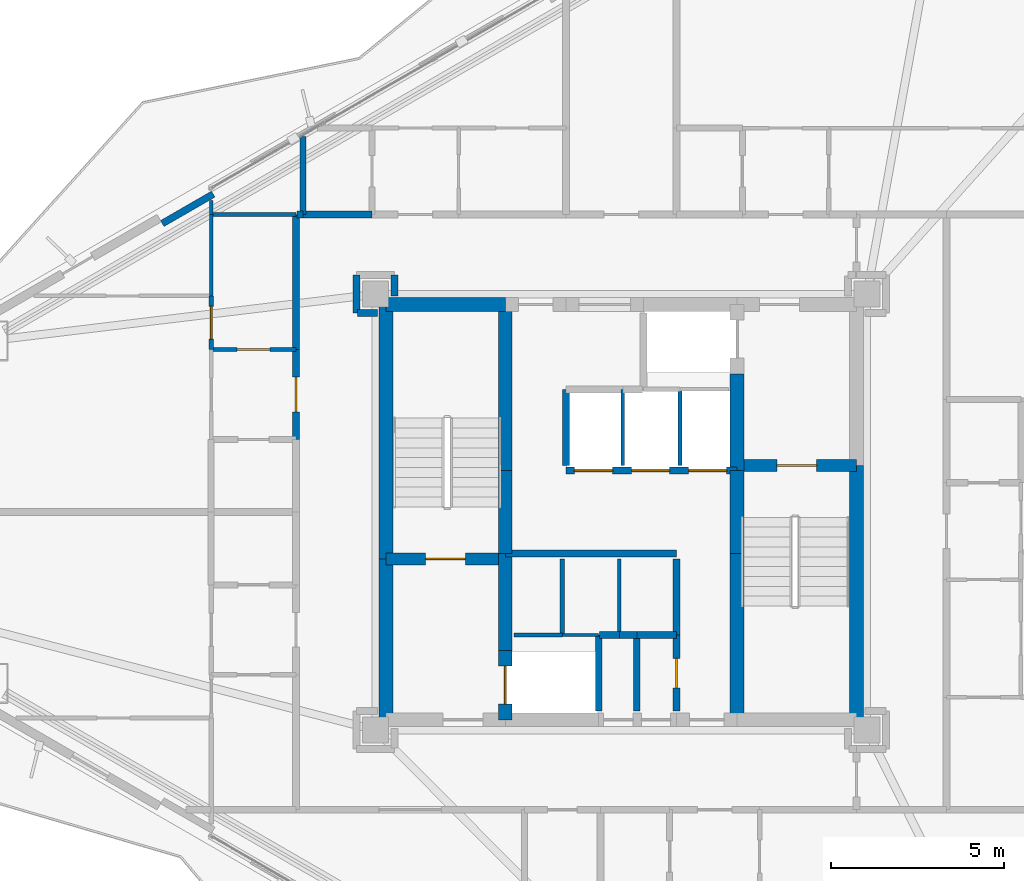
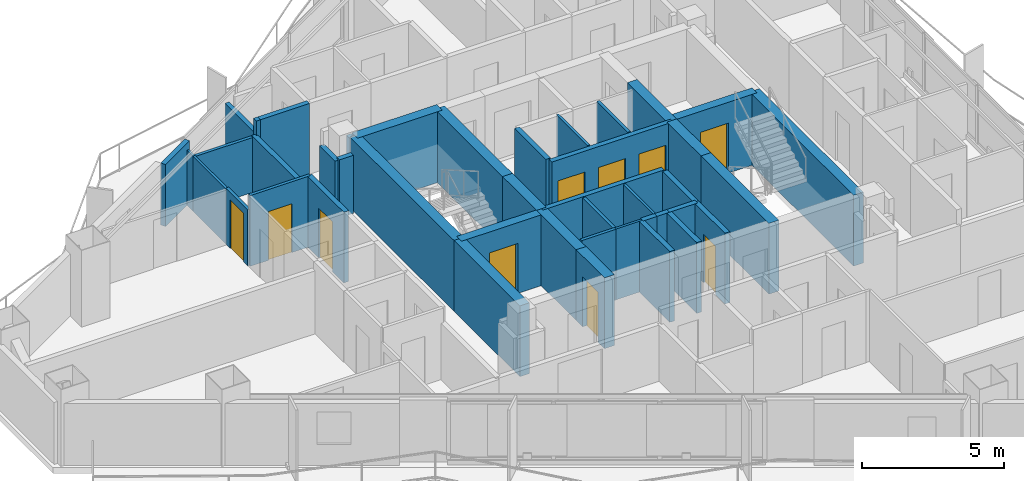
# One storey, part 17 of 22: 43 walls, 10 doors, 10 openings.
"""IFC4 building model written with IfcOpenShell, lengths in metres."""

from ifc_helpers import new_model, si_unit, direction, frame, frame_2d, origin, place, context, subcontext, project, spatial, rectangle, extrude, material, layer, layer_set, type_object, element, fill, save


model = new_model("IFC4")

# Units and contexts
model_context = context("Model", 3, precision=1e-05, world=origin(), true_north=direction((0.0, 1.0)))
body_context = subcontext(model_context, "Body", "Model", "MODEL_VIEW")
ifc_project = project(units=[si_unit("LENGTHUNIT", "METRE"), si_unit("AREAUNIT", "SQUARE_METRE"), si_unit("VOLUMEUNIT", "CUBIC_METRE"), si_unit("PLANEANGLEUNIT", "RADIAN"), si_unit("MASSUNIT", "GRAM", prefix="KILO")], contexts=[model_context])

# Site, building, storey
site_placement = place(None, origin())
site = spatial("IfcSite", under=ifc_project, at=site_placement, CompositionType="ELEMENT")
building_placement = place(site_placement, origin())
building = spatial("IfcBuilding", under=site, at=building_placement, Name="Mersakhor Tower and Convention Hall", CompositionType="ELEMENT")
storey_placement = place(building_placement, frame((0.0, 0.0, 103.199951171875)))
storey = spatial("IfcBuildingStorey", under=building, at=storey_placement, Name="L28", CompositionType="ELEMENT", Elevation=103.199951171875)

# Walls
ifc_material_1 = material(Name="Precast concrete C40/50", Category="concrete")
ifc_layer_1 = layer(ifc_material_1, 0.199951171875)
ifc_layer_set_1 = layer_set([ifc_layer_1], Name="Precast concrete C40/50")
wall_type_1 = type_object("IfcWallType", Name="WL-PAR-200", PredefinedType="PARAPET", material=ifc_layer_set_1)
wall_1_placement = place(storey_placement, frame((15.73779296875, 35.091064453125, 0.0), z_axis=(0.0, 0.0, 1.0), x_axis=(0.866025371046, 0.500000056704, 0.0)))
element("IfcWall", 1, at=wall_1_placement, inside=storey, type_object=wall_type_1, Name="L28 Column Pier Cladding Wall F1-C1", PredefinedType="PARAPET", context=body_context, shape_type="SweptSolid", body=[
    extrude(rectangle(XDim=1.7001953125, YDim=0.199951171875, at=frame_2d((0.85009765625, 0.0))), origin(), (0.0, 0.0, 1.0), 2.670166015625),
])
ifc_material_2 = material(Name="Moisture-resistant acoustic drywall studwork", Category="other")
ifc_layer_2 = layer(ifc_material_2, 0.175048828125)
ifc_layer_set_2 = layer_set([ifc_layer_2], Name="Moisture-resistant acoustic drywall studwork")
wall_type_2 = type_object("IfcWallType", Name="WL-PLM-175", PredefinedType="PLUMBINGWALL", material=ifc_layer_set_2)
wall_2_placement = place(storey_placement, frame((19.800048828125, 35.35009765625, 0.0), z_axis=(0.0, 0.0, 1.0), x_axis=(0.0, 1.0, 0.0)))
element("IfcWall", 2, at=wall_2_placement, inside=storey, type_object=wall_type_2, Name="L28 Interior Partition Wall P-087", PredefinedType="PLUMBINGWALL", context=body_context, shape_type="SweptSolid", body=[
    extrude(rectangle(XDim=2.25244140625, YDim=0.175048828125, at=frame_2d((1.126220703125, 0.0))), origin(), (0.0, 0.0, 1.0), 2.364990234375),
])
ifc_material_3 = material(Name="Lightweight gypsum partition", Category="other")
ifc_layer_3 = layer(ifc_material_3, 0.10009765625)
ifc_layer_set_3 = layer_set([ifc_layer_3], Name="Lightweight gypsum partition")
wall_type_3 = type_object("IfcWallType", Name="WL-PRT-100", PredefinedType="PARTITIONING", material=ifc_layer_set_3)
wall_3_placement = place(storey_placement, frame((27.300048828125, 23.199951171875, 0.0), z_axis=(0.0, 0.0, 1.0), x_axis=(1.0, 0.0, 0.0)))
element("IfcWall", 3, at=wall_3_placement, inside=storey, type_object=wall_type_3, Name="L28 Interior Partition Wall P-002", PredefinedType="PARTITIONING", context=body_context, shape_type="SweptSolid", body=[
    extrude(rectangle(XDim=1.050048828125, YDim=0.10009765625, at=frame_2d((0.52490234375, 0.0))), origin(), (0.0, 0.0, 1.0), 3.050048828125),
])
for number, where, z_axis, x_axis, name in (
    (4, (28.949951171875, 25.39990234375, 0.0), (0.0, 0.0, 1.0), (0.0, -1.0, 0.0), "L28 Interior Partition Wall P-008"),
    (5, (29.050048828125, 30.300048828125, 0.0), (0.0, 0.0, 1.0), (0.0, -1.0, 0.0), "L28 Interior Partition Wall P-014"),
):
    element("IfcWall", number, at=place(storey_placement, frame(where, z_axis=z_axis, x_axis=x_axis)), inside=storey, type_object=wall_type_3, Name=name, PredefinedType="PARTITIONING", context=body_context, shape_type="SweptSolid", body=[
        extrude(rectangle(XDim=2.199951171875, YDim=0.10009765625, at=frame_2d((1.10009765625, 0.0))), origin(), (0.0, 0.0, 1.0), 3.050048828125),
    ])
wall_4_placement = place(storey_placement, frame((17.14990234375, 33.0, 0.0), z_axis=(0.0, 0.0, 1.0), x_axis=(0.0, 1.0, 0.0)))
element("IfcWall", 6, at=wall_4_placement, inside=storey, type_object=wall_type_3, Name="L28 Interior Partition Wall P-102", PredefinedType="PARTITIONING", context=body_context, shape_type="SweptSolid", body=[
    extrude(rectangle(XDim=2.35009765625, YDim=0.10009765625, at=frame_2d((1.175048828125, 0.0))), origin(), (0.0, 0.0, 1.0), 2.364990234375),
])
wall_5_placement = place(storey_placement, frame((17.14990234375, 35.76318359375, 0.0), z_axis=(0.0, 0.0, 1.0), x_axis=(0.0, -1.0, 0.0)))
element("IfcWall", 7, at=wall_5_placement, inside=storey, type_object=wall_type_3, Name="L28 Interior Partition Wall P-126", PredefinedType="PARTITIONING", context=body_context, shape_type="SweptSolid", body=[
    extrude(rectangle(XDim=0.4130859375, YDim=0.10009765625, at=frame_2d((0.20654296875, 0.0))), origin(), (0.0, 0.0, 1.0), 2.364990234375),
])
ifc_material_4 = material(Name="Gypsum board acoustic partition", Category="other")
ifc_layer_4 = layer(ifc_material_4, 0.125)
ifc_layer_set_4 = layer_set([ifc_layer_4], Name="Gypsum board acoustic partition")
wall_type_4 = type_object("IfcWallType", Name="WL-PRT-125", PredefinedType="PARTITIONING", material=ifc_layer_set_4)
wall_6_placement = place(storey_placement, frame((25.89990234375, 23.199951171875, 0.0), z_axis=(0.0, 0.0, 1.0), x_axis=(1.0, 0.0, 0.0)))
element("IfcWall", 8, at=wall_6_placement, inside=storey, type_object=wall_type_4, Name="L28 Interior Partition Wall P-001", PredefinedType="PARTITIONING", context=body_context, shape_type="SweptSolid", body=[
    extrude(rectangle(XDim=1.400146484375, YDim=0.125, at=frame_2d((0.7001953125, 0.0))), origin(), (0.0, 0.0, 1.0), 3.050048828125),
])
for number, where, z_axis, x_axis, name in (
    (9, (27.300048828125, 25.39990234375, 0.0), (0.0, 0.0, 1.0), (0.0, -1.0, 0.0), "L28 Interior Partition Wall P-007"),
    (10, (30.699951171875, 30.300048828125, 0.0), (0.0, 0.0, 1.0), (0.0, -1.0, 0.0), "L28 Interior Partition Wall P-017"),
):
    element("IfcWall", number, at=place(storey_placement, frame(where, z_axis=z_axis, x_axis=x_axis)), inside=storey, type_object=wall_type_4, Name=name, PredefinedType="PARTITIONING", context=body_context, shape_type="SweptSolid", body=[
        extrude(rectangle(XDim=2.199951171875, YDim=0.125, at=frame_2d((1.10009765625, 0.0))), origin(), (0.0, 0.0, 1.0), 3.050048828125),
    ])

# Wall, opening, door
wall_7_placement = place(storey_placement, frame((17.14990234375, 31.449951171875, 0.0), z_axis=(0.0, 0.0, 1.0), x_axis=(1.0, 0.0, 0.0)))
wall_7 = element("IfcWall", 11, at=wall_7_placement, inside=storey, type_object=wall_type_4, Name="L28 Interior Partition Wall P-075", PredefinedType="PARTITIONING", context=body_context, shape_type="SweptSolid", body=[
    extrude(rectangle(XDim=2.4501953125, YDim=0.125, at=frame_2d((1.22509765625, 0.0))), origin(), (0.0, 0.0, 1.0), 3.050048828125),
])
opening_1_placement = place(wall_7_placement, frame((0.75, 0.0, 0.0)))
opening_1 = element("IfcOpeningElement", 12, at=opening_1_placement, cuts=wall_7, Name="Opening RD-01", PredefinedType="OPENING", context=body_context, shape_type="SweptSolid", body=[
    extrude(rectangle(XDim=0.949951171875, YDim=2.10009765625, at=frame_2d((0.47509765625, 1.050048828125))), frame((0.0, 0.072509765625, 0.0), z_axis=(0.0, -1.0, 0.0), x_axis=(1.0, 0.0, 0.0)), (0.0, 0.0, 1.0), 0.14501953125),
])
ifc_material_5 = material(Name="Solid-core hardwood leaf in painted steel frame", Category="steel")
door_type_1 = type_object("IfcDoorType", Name="DR-INT-RM-095x210", OperationType="NOTDEFINED", PredefinedType="DOOR", material=ifc_material_5)
door_1_placement = place(opening_1_placement, origin())
door_1 = element("IfcDoor", 13, at=door_1_placement, inside=storey, type_object=door_type_1, Name="L28 L28 Flat W4 Apartment Hall to L28 Flat W4 Kitchen Door", OperationType="SINGLE_SWING_RIGHT", OverallHeight=2.10009765625, OverallWidth=0.949951171875, PredefinedType="DOOR", context=body_context, shape_type="SweptSolid", body=[
    extrude(rectangle(XDim=0.949951171875, YDim=2.10009765625, at=frame_2d((0.47509765625, 1.050048828125))), frame((0.0, 0.02490234375, 0.0), z_axis=(0.0, -1.0, 0.0), x_axis=(1.0, 0.0, 0.0)), (0.0, 0.0, 1.0), 0.050048828125),
])
fill(opening_1, door_1)

wall_8_placement = place(storey_placement, frame((17.14990234375, 31.449951171875, 0.0), z_axis=(0.0, 0.0, 1.0), x_axis=(0.0, 1.0, 0.0)))
wall_8 = element("IfcWall", 14, at=wall_8_placement, inside=storey, type_object=wall_type_4, Name="L28 Interior Partition Wall P-101", PredefinedType="PARTITIONING", context=body_context, shape_type="SweptSolid", body=[
    extrude(rectangle(XDim=1.550048828125, YDim=0.125, at=frame_2d((0.77490234375, 0.0))), origin(), (0.0, 0.0, 1.0), 2.4228515625),
])
opening_2_placement = place(wall_8_placement, frame((0.300048828125, 0.0, 0.0)))
opening_2 = element("IfcOpeningElement", 15, at=opening_2_placement, cuts=wall_8, Name="Opening RD-01", PredefinedType="OPENING", context=body_context, shape_type="SweptSolid", body=[
    extrude(rectangle(XDim=0.949951171875, YDim=2.10009765625, at=frame_2d((0.47509765625, 1.050048828125))), frame((0.0, 0.072509765625, 0.0), z_axis=(0.0, -1.0, 0.0), x_axis=(1.0, 0.0, 0.0)), (0.0, 0.0, 1.0), 0.14501953125),
])
door_2_placement = place(opening_2_placement, origin())
door_2 = element("IfcDoor", 16, at=door_2_placement, inside=storey, type_object=door_type_1, Name="L28 L28 Flat W4 Kitchen to L28 Flat W4 Living and Dining Room Door", OperationType="SINGLE_SWING_LEFT", OverallHeight=2.10009765625, OverallWidth=0.949951171875, PredefinedType="DOOR", context=body_context, shape_type="SweptSolid", body=[
    extrude(rectangle(XDim=0.949951171875, YDim=2.10009765625, at=frame_2d((0.47509765625, 1.050048828125))), frame((0.0, 0.02490234375, 0.0), z_axis=(0.0, -1.0, 0.0), x_axis=(1.0, 0.0, 0.0)), (0.0, 0.0, 1.0), 0.050048828125),
])
fill(opening_2, door_2)

# Walls
wall_9_placement = place(storey_placement, frame((17.14990234375, 35.35009765625, 0.0), z_axis=(0.0, 0.0, 1.0), x_axis=(1.0, 0.0, 0.0)))
element("IfcWall", 17, at=wall_9_placement, inside=storey, type_object=wall_type_4, Name="L28 Interior Partition Wall P-103", PredefinedType="PARTITIONING", context=body_context, shape_type="SweptSolid", body=[
    extrude(rectangle(XDim=2.4501953125, YDim=0.125, at=frame_2d((1.22509765625, 0.0))), origin(), (0.0, 0.0, 1.0), 2.364990234375),
])
ifc_material_6 = material(Name="Acoustic concrete blockwork and gypsum board", Category="masonry")
ifc_layer_5 = layer(ifc_material_6, 0.199951171875)
ifc_layer_set_5 = layer_set([ifc_layer_5], Name="Acoustic concrete blockwork and gypsum board")
wall_type_5 = type_object("IfcWallType", Name="WL-PRT-200", PredefinedType="PARTITIONING", material=ifc_layer_set_5)
wall_10_placement = place(storey_placement, frame((25.64990234375, 25.550048828125, 0.0), z_axis=(0.0, 0.0, 1.0), x_axis=(1.0, 0.0, 0.0)))
element("IfcWall", 18, at=wall_10_placement, inside=storey, type_object=wall_type_5, Name="L28 High-Rise Lift Bank Front Wall", PredefinedType="PARTITIONING", context=body_context, shape_type="SweptSolid", body=[
    extrude(rectangle(XDim=4.9501953125, YDim=0.199951171875, at=frame_2d((2.47509765625, 0.0))), origin(), (0.0, 0.0, 1.0), 3.050048828125),
])

# Wall, openings, doors
wall_11_placement = place(storey_placement, frame((27.39990234375, 27.949951171875, 0.0), z_axis=(0.0, 0.0, 1.0), x_axis=(1.0, 0.0, 0.0)))
wall_11 = element("IfcWall", 19, at=wall_11_placement, inside=storey, type_object=wall_type_5, Name="L28 Low-Rise Lift Bank Front Wall", PredefinedType="PARTITIONING", context=body_context, shape_type="SweptSolid", body=[
    extrude(rectangle(XDim=4.9501953125, YDim=0.199951171875, at=frame_2d((2.47509765625, 0.0))), origin(), (0.0, 0.0, 1.0), 3.050048828125),
])
opening_3_placement = place(wall_11_placement, frame((0.25, 0.0, 0.0)))
opening_3 = element("IfcOpeningElement", 20, at=opening_3_placement, cuts=wall_11, Name="Opening LD-P1", PredefinedType="OPENING", context=body_context, shape_type="SweptSolid", body=[
    extrude(rectangle(XDim=1.10009765625, YDim=2.14990234375, at=frame_2d((0.550048828125, 1.074951171875))), frame((0.0, 0.10986328125, 0.0), z_axis=(0.0, -1.0, 0.0), x_axis=(1.0, 0.0, 0.0)), (0.0, 0.0, 1.0), 0.219970703125),
])
opening_4_placement = place(wall_11_placement, frame((1.89990234375, 0.0, 0.0)))
opening_4 = element("IfcOpeningElement", 21, at=opening_4_placement, cuts=wall_11, Name="Opening LD-P2", PredefinedType="OPENING", context=body_context, shape_type="SweptSolid", body=[
    extrude(rectangle(XDim=1.10009765625, YDim=2.14990234375, at=frame_2d((0.550048828125, 1.074951171875))), frame((0.0, 0.10986328125, 0.0), z_axis=(0.0, -1.0, 0.0), x_axis=(1.0, 0.0, 0.0)), (0.0, 0.0, 1.0), 0.219970703125),
])
opening_5_placement = place(wall_11_placement, frame((3.550048828125, 0.0, 0.0)))
opening_5 = element("IfcOpeningElement", 22, at=opening_5_placement, cuts=wall_11, Name="Opening LD-P3", PredefinedType="OPENING", context=body_context, shape_type="SweptSolid", body=[
    extrude(rectangle(XDim=1.10009765625, YDim=2.14990234375, at=frame_2d((0.550048828125, 1.074951171875))), frame((0.0, 0.10986328125, 0.0), z_axis=(0.0, -1.0, 0.0), x_axis=(1.0, 0.0, 0.0)), (0.0, 0.0, 1.0), 0.219970703125),
])
ifc_material_7 = material(Name="Fire-rated brushed stainless steel sliding landing door", Category="steel")
door_type_2 = type_object("IfcDoorType", Name="DR-LIFT-SLD-110x215", OperationType="NOTDEFINED", PredefinedType="DOOR", material=ifc_material_7)
door_3_placement = place(opening_3_placement, origin())
door_3 = element("IfcDoor", 23, at=door_3_placement, inside=storey, type_object=door_type_2, Name="L28 Lift Landing Door LD-P1", OperationType="SLIDING_TO_LEFT", OverallHeight=2.14990234375, OverallWidth=1.10009765625, PredefinedType="DOOR", context=body_context, shape_type="SweptSolid", body=[
    extrude(rectangle(XDim=1.10009765625, YDim=2.14990234375, at=frame_2d((0.550048828125, 1.074951171875))), frame((0.0, 0.02490234375, 0.0), z_axis=(0.0, -1.0, 0.0), x_axis=(1.0, 0.0, 0.0)), (0.0, 0.0, 1.0), 0.050048828125),
])
fill(opening_3, door_3)
door_4_placement = place(opening_4_placement, origin())
door_4 = element("IfcDoor", 24, at=door_4_placement, inside=storey, type_object=door_type_2, Name="L28 Lift Landing Door LD-P2", OperationType="SLIDING_TO_LEFT", OverallHeight=2.14990234375, OverallWidth=1.10009765625, PredefinedType="DOOR", context=body_context, shape_type="SweptSolid", body=[
    extrude(rectangle(XDim=1.10009765625, YDim=2.14990234375, at=frame_2d((0.550048828125, 1.074951171875))), frame((0.0, 0.02490234375, 0.0), z_axis=(0.0, -1.0, 0.0), x_axis=(1.0, 0.0, 0.0)), (0.0, 0.0, 1.0), 0.050048828125),
])
fill(opening_4, door_4)
door_5_placement = place(opening_5_placement, origin())
door_5 = element("IfcDoor", 25, at=door_5_placement, inside=storey, type_object=door_type_2, Name="L28 Lift Landing Door LD-P3", OperationType="SLIDING_TO_LEFT", OverallHeight=2.14990234375, OverallWidth=1.10009765625, PredefinedType="DOOR", context=body_context, shape_type="SweptSolid", body=[
    extrude(rectangle(XDim=1.10009765625, YDim=2.14990234375, at=frame_2d((0.550048828125, 1.074951171875))), frame((0.0, 0.02490234375, 0.0), z_axis=(0.0, -1.0, 0.0), x_axis=(1.0, 0.0, 0.0)), (0.0, 0.0, 1.0), 0.050048828125),
])
fill(opening_5, door_5)

# Walls
wall_12_placement = place(storey_placement, frame((28.35009765625, 23.199951171875, 0.0), z_axis=(0.0, 0.0, 1.0), x_axis=(0.0, -1.0, 0.0)))
element("IfcWall", 26, at=wall_12_placement, inside=storey, type_object=wall_type_5, Name="L28 Interior Partition Wall P-003", PredefinedType="PARTITIONING", context=body_context, shape_type="SweptSolid", body=[
    extrude(rectangle(XDim=2.199951171875, YDim=0.199951171875, at=frame_2d((1.10009765625, 0.0))), origin(), (0.0, 0.0, 1.0), 3.050048828125),
])
wall_13_placement = place(storey_placement, frame((28.949951171875, 23.199951171875, 0.0), z_axis=(0.0, 0.0, 1.0), x_axis=(-1.0, 0.0, 0.0)))
element("IfcWall", 27, at=wall_13_placement, inside=storey, type_object=wall_type_5, Name="L28 Interior Partition Wall P-009", PredefinedType="PARTITIONING", context=body_context, shape_type="SweptSolid", body=[
    extrude(rectangle(XDim=0.570068359375, YDim=0.199951171875, at=frame_2d((0.28515625, 0.0))), origin(), (0.0, 0.0, 1.0), 3.050048828125),
])
wall_14_placement = place(storey_placement, frame((30.60009765625, 25.39990234375, 0.0), z_axis=(0.0, 0.0, 1.0), x_axis=(0.0, -1.0, 0.0)))
element("IfcWall", 28, at=wall_14_placement, inside=storey, type_object=wall_type_5, Name="L28 Interior Partition Wall P-010", PredefinedType="PARTITIONING", context=body_context, shape_type="SweptSolid", body=[
    extrude(rectangle(XDim=2.199951171875, YDim=0.199951171875, at=frame_2d((1.10009765625, 0.0))), origin(), (0.0, 0.0, 1.0), 3.050048828125),
])
wall_15_placement = place(storey_placement, frame((30.60009765625, 23.199951171875, 0.0), z_axis=(0.0, 0.0, 1.0), x_axis=(-1.0, 0.0, 0.0)))
element("IfcWall", 29, at=wall_15_placement, inside=storey, type_object=wall_type_5, Name="L28 Interior Partition Wall P-011", PredefinedType="PARTITIONING", context=body_context, shape_type="SweptSolid", body=[
    extrude(rectangle(XDim=1.150146484375, YDim=0.199951171875, at=frame_2d((0.5751953125, 0.0))), origin(), (0.0, 0.0, 1.0), 3.050048828125),
])
wall_16_placement = place(storey_placement, frame((29.449951171875, 23.199951171875, 0.0), z_axis=(0.0, 0.0, 1.0), x_axis=(-1.0, 0.0, 0.0)))
element("IfcWall", 30, at=wall_16_placement, inside=storey, type_object=wall_type_5, Name="L28 Interior Partition Wall P-012", PredefinedType="PARTITIONING", context=body_context, shape_type="SweptSolid", body=[
    extrude(rectangle(XDim=0.5, YDim=0.199951171875, at=frame_2d((0.25, 0.0))), origin(), (0.0, 0.0, 1.0), 3.050048828125),
])
wall_17_placement = place(storey_placement, frame((27.39990234375, 28.10009765625, 0.0), z_axis=(0.0, 0.0, 1.0), x_axis=(0.0, 1.0, 0.0)))
element("IfcWall", 31, at=wall_17_placement, inside=storey, type_object=wall_type_5, Name="L28 Interior Partition Wall P-015", PredefinedType="PARTITIONING", context=body_context, shape_type="SweptSolid", body=[
    extrude(rectangle(XDim=2.199951171875, YDim=0.199951171875, at=frame_2d((1.10009765625, 0.0))), origin(), (0.0, 0.0, 1.0), 3.050048828125),
])

# Wall, opening, door
wall_18_placement = place(storey_placement, frame((30.60009765625, 21.0, 0.0), z_axis=(0.0, 0.0, 1.0), x_axis=(0.0, 1.0, 0.0)))
wall_18 = element("IfcWall", 32, at=wall_18_placement, inside=storey, type_object=wall_type_5, Name="L28 Interior Partition Wall P-018", PredefinedType="PARTITIONING", context=body_context, shape_type="SweptSolid", body=[
    extrude(rectangle(XDim=2.199951171875, YDim=0.199951171875, at=frame_2d((1.10009765625, 0.0))), origin(), (0.0, 0.0, 1.0), 3.050048828125),
])
opening_6_placement = place(wall_18_placement, frame((0.675048828125, 0.0, 0.0)))
opening_6 = element("IfcOpeningElement", 33, at=opening_6_placement, cuts=wall_18, Name="Opening SVD-01", PredefinedType="OPENING", context=body_context, shape_type="SweptSolid", body=[
    extrude(rectangle(XDim=0.85009765625, YDim=2.10009765625, at=frame_2d((0.425048828125, 1.050048828125))), frame((0.0, 0.10986328125, 0.0), z_axis=(0.0, -1.0, 0.0), x_axis=(1.0, 0.0, 0.0)), (0.0, 0.0, 1.0), 0.219970703125),
])
ifc_material_8 = material(Name="Fire-rated hardwood leaf and painted steel frame", Category="steel")
door_type_3 = type_object("IfcDoorType", Name="DR-INT-SVC-085x210", OperationType="NOTDEFINED", PredefinedType="DOOR", material=ifc_material_8)
door_6_placement = place(opening_6_placement, origin())
door_6 = element("IfcDoor", 34, at=door_6_placement, inside=storey, type_object=door_type_3, Name="L28 Central Passenger Lift Lobby to Core Maintenance Store Room Door", OperationType="SINGLE_SWING_RIGHT", OverallHeight=2.10009765625, OverallWidth=0.85009765625, PredefinedType="DOOR", context=body_context, shape_type="SweptSolid", body=[
    extrude(rectangle(XDim=0.85009765625, YDim=2.10009765625, at=frame_2d((0.425048828125, 1.050048828125))), frame((0.0, 0.02490234375, 0.0), z_axis=(0.0, -1.0, 0.0), x_axis=(1.0, 0.0, 0.0)), (0.0, 0.0, 1.0), 0.050048828125),
])
fill(opening_6, door_6)

wall_19_placement = place(storey_placement, frame((19.60009765625, 28.85009765625, 0.0), z_axis=(0.0, 0.0, 1.0), x_axis=(0.0, 1.0, 0.0)))
wall_19 = element("IfcWall", 35, at=wall_19_placement, inside=storey, type_object=wall_type_5, Name="L28 Interior Partition Wall P-033", PredefinedType="PARTITIONING", context=body_context, shape_type="SweptSolid", body=[
    extrude(rectangle(XDim=2.599853515625, YDim=0.199951171875, at=frame_2d((1.2998046875, 0.0))), origin(), (0.0, 0.0, 1.0), 3.050048828125),
])
opening_7_placement = place(wall_19_placement, frame((0.800048828125, 0.0, 0.0)))
opening_7 = element("IfcOpeningElement", 36, at=opening_7_placement, cuts=wall_19, Name="Opening FD-01", PredefinedType="OPENING", context=body_context, shape_type="SweptSolid", body=[
    extrude(rectangle(XDim=1.0, YDim=2.14990234375, at=frame_2d((0.5, 1.074951171875))), frame((0.0, 0.10986328125, 0.0), z_axis=(0.0, -1.0, 0.0), x_axis=(1.0, 0.0, 0.0)), (0.0, 0.0, 1.0), 0.219970703125),
])
ifc_material_9 = material(Name="Fire-rated hardwood leaf and painted steel frame", Category="steel")
door_type_4 = type_object("IfcDoorType", Name="DR-INT-FLT-100x215", OperationType="NOTDEFINED", PredefinedType="DOOR", material=ifc_material_9)
door_7_placement = place(opening_7_placement, origin())
door_7 = element("IfcDoor", 37, at=door_7_placement, inside=storey, type_object=door_type_4, Name="L28 Apartment Entrance Door (Residential Ring Corridor to L28 Flat W4 Apartment Hall)", OperationType="SINGLE_SWING_RIGHT", OverallHeight=2.14990234375, OverallWidth=1.0, PredefinedType="DOOR", context=body_context, shape_type="SweptSolid", body=[
    extrude(rectangle(XDim=1.0, YDim=2.14990234375, at=frame_2d((0.5, 1.074951171875))), frame((0.0, 0.02490234375, 0.0), z_axis=(0.0, -1.0, 0.0), x_axis=(1.0, 0.0, 0.0)), (0.0, 0.0, 1.0), 0.050048828125),
])
fill(opening_7, door_7)

# Walls
wall_20_placement = place(storey_placement, frame((19.60009765625, 31.449951171875, 0.0), z_axis=(0.0, 0.0, 1.0), x_axis=(0.0, 1.0, 0.0)))
element("IfcWall", 38, at=wall_20_placement, inside=storey, type_object=wall_type_5, Name="L28 Interior Partition Wall P-034", PredefinedType="PARTITIONING", context=body_context, shape_type="SweptSolid", body=[
    extrude(rectangle(XDim=3.900146484375, YDim=0.199951171875, at=frame_2d((1.9501953125, 0.0))), origin(), (0.0, 0.0, 1.0), 2.4228515625),
])
wall_21_placement = place(storey_placement, frame((19.6298828125, 35.35009765625, 0.0), z_axis=(0.0, 0.0, 1.0), x_axis=(1.0, 0.0, 0.0)))
element("IfcWall", 39, at=wall_21_placement, inside=storey, type_object=wall_type_5, Name="L28 Interior Partition Wall P-035", PredefinedType="PARTITIONING", context=body_context, shape_type="SweptSolid", body=[
    extrude(rectangle(XDim=0.170166015625, YDim=0.199951171875, at=frame_2d((0.0849609375, 0.0))), origin(), (0.0, 0.0, 1.0), 3.050048828125),
])
wall_22_placement = place(storey_placement, frame((19.800048828125, 35.35009765625, 0.0), z_axis=(0.0, 0.0, 1.0), x_axis=(1.0, 0.0, 0.0)))
element("IfcWall", 40, at=wall_22_placement, inside=storey, type_object=wall_type_5, Name="L28 Interior Partition Wall P-036", PredefinedType="PARTITIONING", context=body_context, shape_type="SweptSolid", body=[
    extrude(rectangle(XDim=2.0, YDim=0.199951171875, at=frame_2d((1.0, 0.0))), origin(), (0.0, 0.0, 1.0), 3.050048828125),
])
wall_23_placement = place(storey_placement, frame((22.449951171875, 33.0, 0.0), z_axis=(0.0, 0.0, 1.0), x_axis=(0.0, 1.0, 0.0)))
element("IfcWall", 41, at=wall_23_placement, inside=storey, type_object=wall_type_5, Name="L28 Interior Partition Wall P-046", PredefinedType="PARTITIONING", context=body_context, shape_type="SweptSolid", body=[
    extrude(rectangle(XDim=0.60009765625, YDim=0.199951171875, at=frame_2d((0.300048828125, 0.0))), origin(), (0.0, 0.0, 1.0), 2.498291015625),
])
wall_24_placement = place(storey_placement, frame((21.35009765625, 33.60009765625, 0.0), z_axis=(0.0, 0.0, 1.0), x_axis=(0.0, -1.0, 0.0)))
element("IfcWall", 42, at=wall_24_placement, inside=storey, type_object=wall_type_5, Name="L28 Interior Partition Wall P-048", PredefinedType="PARTITIONING", context=body_context, shape_type="SweptSolid", body=[
    extrude(rectangle(XDim=1.10009765625, YDim=0.199951171875, at=frame_2d((0.550048828125, 0.0))), origin(), (0.0, 0.0, 1.0), 2.4228515625),
])
wall_25_placement = place(storey_placement, frame((21.3798828125, 32.5, 0.0), z_axis=(0.0, 0.0, 1.0), x_axis=(1.0, 0.0, 0.0)))
element("IfcWall", 43, at=wall_25_placement, inside=storey, type_object=wall_type_5, Name="L28 Interior Partition Wall P-049", PredefinedType="PARTITIONING", context=body_context, shape_type="SweptSolid", body=[
    extrude(rectangle(XDim=0.570068359375, YDim=0.199951171875, at=frame_2d((0.28515625, 0.0))), origin(), (0.0, 0.0, 1.0), 2.498291015625),
])
wall_26_placement = place(storey_placement, frame((29.449951171875, 23.199951171875, 0.0), z_axis=(0.0, 0.0, 1.0), x_axis=(0.0, -1.0, 0.0)))
element("IfcWall", 44, at=wall_26_placement, inside=storey, type_object=wall_type_5, Name="L28 Interior Partition Wall P-112", PredefinedType="PARTITIONING", context=body_context, shape_type="SweptSolid", body=[
    extrude(rectangle(XDim=2.199951171875, YDim=0.199951171875, at=frame_2d((1.10009765625, 0.0))), origin(), (0.0, 0.0, 1.0), 3.050048828125),
])

# Wall, opening, door
ifc_material_10 = material(Name="Concrete C50/60", Category="concrete")
ifc_layer_6 = layer(ifc_material_10, 0.35009765625)
ifc_layer_set_6 = layer_set([ifc_layer_6], Name="Concrete C50/60")
wall_type_6 = type_object("IfcWallType", Name="WL-SHR-350", PredefinedType="SHEAR", material=ifc_layer_set_6)
wall_27_placement = place(storey_placement, frame((22.199951171875, 25.39990234375, 0.0), z_axis=(0.0, 0.0, 1.0), x_axis=(1.0, 0.0, 0.0)))
wall_27 = element("IfcWall", 45, at=wall_27_placement, inside=storey, type_object=wall_type_6, Name="L28 Core Wall CS-ST1-S", PredefinedType="SHEAR", context=body_context, shape_type="SweptSolid", body=[
    extrude(rectangle(XDim=3.449951171875, YDim=0.35009765625, at=frame_2d((1.72509765625, 0.0))), origin(), (0.0, 0.0, 1.0), 3.050048828125),
])
opening_8_placement = place(wall_27_placement, frame((1.14990234375, 0.0, 0.0)))
opening_8 = element("IfcOpeningElement", 46, at=opening_8_placement, cuts=wall_27, Name="Opening SD-01", PredefinedType="OPENING", context=body_context, shape_type="SweptSolid", body=[
    extrude(rectangle(XDim=1.14990234375, YDim=2.14990234375, at=frame_2d((0.574951171875, 1.074951171875))), frame((0.0, 0.18505859375, 0.0), z_axis=(0.0, -1.0, 0.0), x_axis=(1.0, 0.0, 0.0)), (0.0, 0.0, 1.0), 0.3701171875),
])
ifc_material_11 = material(Name="Fire-rated hardwood leaf and painted steel frame", Category="steel")
door_type_5 = type_object("IfcDoorType", Name="DR-INT-STAIR-115x215", OperationType="NOTDEFINED", PredefinedType="DOOR", material=ifc_material_11)
door_8_placement = place(opening_8_placement, origin())
door_8 = element("IfcDoor", 47, at=door_8_placement, inside=storey, type_object=door_type_5, Name="L28 Exit Stair ST-1 Enclosure Door", OperationType="SINGLE_SWING_LEFT", OverallHeight=2.14990234375, OverallWidth=1.14990234375, PredefinedType="DOOR", context=body_context, shape_type="SweptSolid", body=[
    extrude(rectangle(XDim=1.14990234375, YDim=2.14990234375, at=frame_2d((0.574951171875, 1.074951171875))), frame((0.0, 0.02490234375, 0.0), z_axis=(0.0, -1.0, 0.0), x_axis=(1.0, 0.0, 0.0)), (0.0, 0.0, 1.0), 0.050048828125),
])
fill(opening_8, door_8)

wall_28_placement = place(storey_placement, frame((32.35009765625, 28.10009765625, 0.0), z_axis=(0.0, 0.0, 1.0), x_axis=(1.0, 0.0, 0.0)))
wall_28 = element("IfcWall", 48, at=wall_28_placement, inside=storey, type_object=wall_type_6, Name="L28 Core Wall CS-ST2-N", PredefinedType="SHEAR", context=body_context, shape_type="SweptSolid", body=[
    extrude(rectangle(XDim=3.449951171875, YDim=0.35009765625, at=frame_2d((1.72509765625, 0.0))), origin(), (0.0, 0.0, 1.0), 3.050048828125),
])
opening_9_placement = place(wall_28_placement, frame((1.14990234375, 0.0, 0.0)))
opening_9 = element("IfcOpeningElement", 49, at=opening_9_placement, cuts=wall_28, Name="Opening SD-01", PredefinedType="OPENING", context=body_context, shape_type="SweptSolid", body=[
    extrude(rectangle(XDim=1.14990234375, YDim=2.14990234375, at=frame_2d((0.574951171875, 1.074951171875))), frame((0.0, 0.18505859375, 0.0), z_axis=(0.0, -1.0, 0.0), x_axis=(1.0, 0.0, 0.0)), (0.0, 0.0, 1.0), 0.3701171875),
])
door_9_placement = place(opening_9_placement, origin())
door_9 = element("IfcDoor", 50, at=door_9_placement, inside=storey, type_object=door_type_5, Name="L28 Exit Stair ST-2 Enclosure Door", OperationType="SINGLE_SWING_RIGHT", OverallHeight=2.14990234375, OverallWidth=1.14990234375, PredefinedType="DOOR", context=body_context, shape_type="SweptSolid", body=[
    extrude(rectangle(XDim=1.14990234375, YDim=2.14990234375, at=frame_2d((0.574951171875, 1.074951171875))), frame((0.0, 0.02490234375, 0.0), z_axis=(0.0, -1.0, 0.0), x_axis=(1.0, 0.0, 0.0)), (0.0, 0.0, 1.0), 0.050048828125),
])
fill(opening_9, door_9)

# Walls
ifc_material_12 = material(Name="Concrete C60/75", Category="concrete")
ifc_layer_7 = layer(ifc_material_12, 0.39990234375)
ifc_layer_set_7 = layer_set([ifc_layer_7], Name="Concrete C60/75")
wall_type_7 = type_object("IfcWallType", Name="WL-SHR-400", PredefinedType="SHEAR", material=ifc_layer_set_7)
wall_29_placement = place(storey_placement, frame((22.199951171875, 20.75, 0.0), z_axis=(0.0, 0.0, 1.0), x_axis=(0.0, 1.0, 0.0)))
element("IfcWall", 51, at=wall_29_placement, inside=storey, type_object=wall_type_7, Name="L28 Core Wall CW-W1", PredefinedType="SHEAR", context=body_context, shape_type="SweptSolid", body=[
    extrude(rectangle(XDim=4.64990234375, YDim=0.39990234375, at=frame_2d((2.324951171875, 0.0))), origin(), (0.0, 0.0, 1.0), 3.050048828125),
])
wall_30_placement = place(storey_placement, frame((22.199951171875, 25.39990234375, 0.0), z_axis=(0.0, 0.0, 1.0), x_axis=(0.0, 1.0, 0.0)))
element("IfcWall", 52, at=wall_30_placement, inside=storey, type_object=wall_type_7, Name="L28 Core Wall CW-W2", PredefinedType="SHEAR", context=body_context, shape_type="SweptSolid", body=[
    extrude(rectangle(XDim=7.35009765625, YDim=0.39990234375, at=frame_2d((3.675048828125, 0.0))), origin(), (0.0, 0.0, 1.0), 3.050048828125),
])
wall_31_placement = place(storey_placement, frame((22.199951171875, 32.75, 0.0), z_axis=(0.0, 0.0, 1.0), x_axis=(1.0, 0.0, 0.0)))
element("IfcWall", 53, at=wall_31_placement, inside=storey, type_object=wall_type_7, Name="L28 Core Wall CW-N1", PredefinedType="SHEAR", context=body_context, shape_type="SweptSolid", body=[
    extrude(rectangle(XDim=3.449951171875, YDim=0.39990234375, at=frame_2d((1.72509765625, 0.0))), origin(), (0.0, 0.0, 1.0), 3.050048828125),
])
wall_32_placement = place(storey_placement, frame((35.800048828125, 28.10009765625, 0.0), z_axis=(0.0, 0.0, 1.0), x_axis=(0.0, -1.0, 0.0)))
element("IfcWall", 54, at=wall_32_placement, inside=storey, type_object=wall_type_7, Name="L28 Core Wall CW-E2", PredefinedType="SHEAR", context=body_context, shape_type="SweptSolid", body=[
    extrude(rectangle(XDim=7.35009765625, YDim=0.39990234375, at=frame_2d((3.675048828125, 0.0))), origin(), (0.0, 0.0, 1.0), 3.050048828125),
])

# Wall, opening, door
wall_33_placement = place(storey_placement, frame((25.64990234375, 20.75, 0.0), z_axis=(0.0, 0.0, 1.0), x_axis=(0.0, 1.0, 0.0)))
wall_33 = element("IfcWall", 55, at=wall_33_placement, inside=storey, type_object=wall_type_7, Name="L28 Core Wall CS-W-FFL", PredefinedType="SHEAR", context=body_context, shape_type="SweptSolid", body=[
    extrude(rectangle(XDim=2.0, YDim=0.39990234375, at=frame_2d((1.0, 0.0))), origin(), (0.0, 0.0, 1.0), 3.050048828125),
])
opening_10_placement = place(wall_33_placement, frame((0.449951171875, 0.0, 0.0)))
opening_10 = element("IfcOpeningElement", 56, at=opening_10_placement, cuts=wall_33, Name="Opening LD-FFL1", PredefinedType="OPENING", context=body_context, shape_type="SweptSolid", body=[
    extrude(rectangle(XDim=1.10009765625, YDim=2.14990234375, at=frame_2d((0.550048828125, 1.074951171875))), frame((0.0, 0.2099609375, 0.0), z_axis=(0.0, -1.0, 0.0), x_axis=(1.0, 0.0, 0.0)), (0.0, 0.0, 1.0), 0.419921875),
])
door_10_placement = place(opening_10_placement, origin())
door_10 = element("IfcDoor", 57, at=door_10_placement, inside=storey, type_object=door_type_2, Name="L28 Firefighting Lift Landing Door LD-FFL1", OperationType="SLIDING_TO_LEFT", OverallHeight=2.14990234375, OverallWidth=1.10009765625, PredefinedType="DOOR", context=body_context, shape_type="SweptSolid", body=[
    extrude(rectangle(XDim=1.10009765625, YDim=2.14990234375, at=frame_2d((0.550048828125, 1.074951171875))), frame((0.0, 0.02490234375, 0.0), z_axis=(0.0, -1.0, 0.0), x_axis=(1.0, 0.0, 0.0)), (0.0, 0.0, 1.0), 0.050048828125),
])
fill(opening_10, door_10)

# Walls
wall_34_placement = place(storey_placement, frame((25.64990234375, 22.75, 0.0), z_axis=(0.0, 0.0, 1.0), x_axis=(0.0, 1.0, 0.0)))
element("IfcWall", 58, at=wall_34_placement, inside=storey, type_object=wall_type_7, Name="L28 Core Wall CS-W-MID", PredefinedType="SHEAR", context=body_context, shape_type="SweptSolid", body=[
    extrude(rectangle(XDim=2.800048828125, YDim=0.39990234375, at=frame_2d((1.39990234375, 0.0))), origin(), (0.0, 0.0, 1.0), 3.050048828125),
])
wall_35_placement = place(storey_placement, frame((25.64990234375, 25.550048828125, 0.0), z_axis=(0.0, 0.0, 1.0), x_axis=(0.0, 1.0, 0.0)))
element("IfcWall", 59, at=wall_35_placement, inside=storey, type_object=wall_type_7, Name="L28 Core Wall CS-W-LOB", PredefinedType="SHEAR", context=body_context, shape_type="SweptSolid", body=[
    extrude(rectangle(XDim=2.39990234375, YDim=0.39990234375, at=frame_2d((1.199951171875, 0.0))), origin(), (0.0, 0.0, 1.0), 3.050048828125),
])
for number, where, z_axis, x_axis, name in (
    (60, (25.64990234375, 27.949951171875, 0.0), (0.0, 0.0, 1.0), (0.0, 1.0, 0.0), "L28 Core Wall CS-W-ST1"),
    (61, (32.35009765625, 20.75, 0.0), (0.0, 0.0, 1.0), (0.0, 1.0, 0.0), "L28 Core Wall CS-E-ST2"),
):
    element("IfcWall", number, at=place(storey_placement, frame(where, z_axis=z_axis, x_axis=x_axis)), inside=storey, type_object=wall_type_7, Name=name, PredefinedType="SHEAR", context=body_context, shape_type="SweptSolid", body=[
        extrude(rectangle(XDim=4.800048828125, YDim=0.39990234375, at=frame_2d((2.39990234375, 0.0))), origin(), (0.0, 0.0, 1.0), 3.050048828125),
    ])
wall_36_placement = place(storey_placement, frame((32.35009765625, 25.550048828125, 0.0), z_axis=(0.0, 0.0, 1.0), x_axis=(0.0, 1.0, 0.0)))
element("IfcWall", 62, at=wall_36_placement, inside=storey, type_object=wall_type_7, Name="L28 Core Wall CS-E-LOB", PredefinedType="SHEAR", context=body_context, shape_type="SweptSolid", body=[
    extrude(rectangle(XDim=2.39990234375, YDim=0.39990234375, at=frame_2d((1.199951171875, 0.0))), origin(), (0.0, 0.0, 1.0), 3.050048828125),
])
wall_37_placement = place(storey_placement, frame((32.35009765625, 27.949951171875, 0.0), z_axis=(0.0, 0.0, 1.0), x_axis=(0.0, 1.0, 0.0)))
element("IfcWall", 63, at=wall_37_placement, inside=storey, type_object=wall_type_7, Name="L28 Core Wall CS-E-MID", PredefinedType="SHEAR", context=body_context, shape_type="SweptSolid", body=[
    extrude(rectangle(XDim=2.800048828125, YDim=0.39990234375, at=frame_2d((1.39990234375, 0.0))), origin(), (0.0, 0.0, 1.0), 3.050048828125),
])

save(model, "model.ifc")
